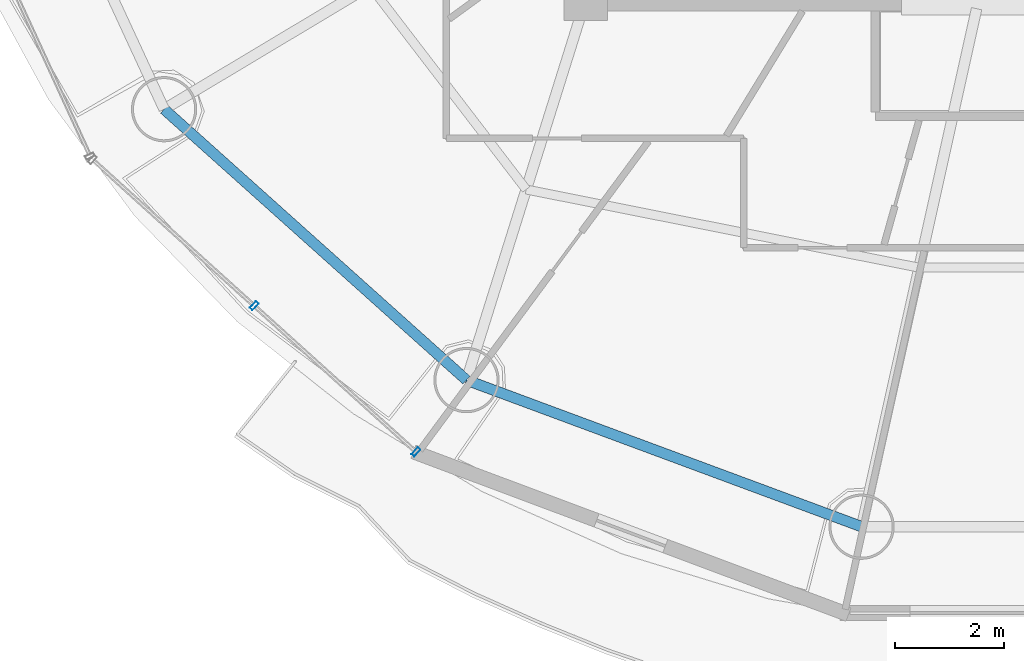
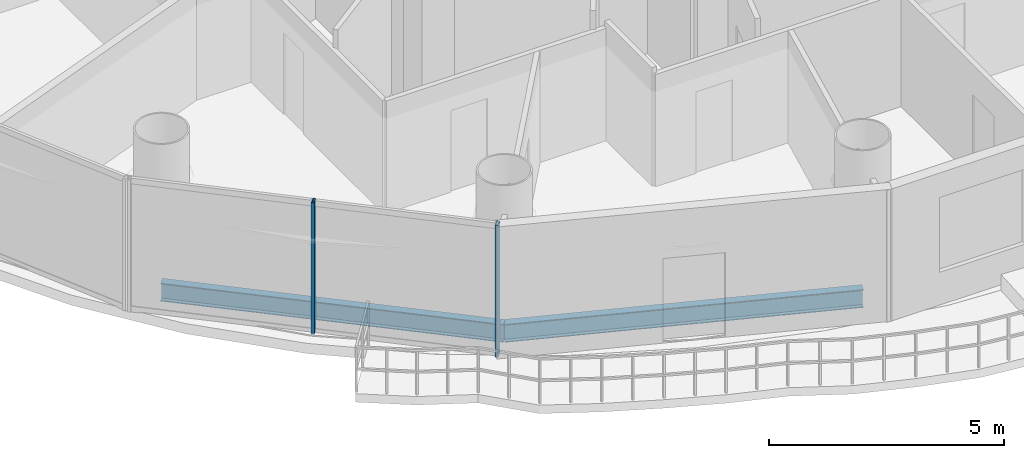
# One storey, part 2 of 26: 2 beams, 2 members, 1 element without a shape of its own.
"""IFC4 building model written with IfcOpenShell, lengths in metres."""

from ifc_helpers import new_model, si_unit, direction, frame, origin, origin_2d, place, context, subcontext, project, spatial, hollow_rectangle, i_section, extrude, source, transform, mapped, material, material_profile, profile_set, type_object, element, aggregate, save


model = new_model("IFC4")

# Units and contexts
model_context = context("Model", 3, precision=1e-05, world=origin(), true_north=direction((-0.2419218956, 0.970295726276)))
body_context = subcontext(model_context, "Body", "Model", "MODEL_VIEW")
ifc_project = project(units=[si_unit("LENGTHUNIT", "METRE"), si_unit("AREAUNIT", "SQUARE_METRE"), si_unit("VOLUMEUNIT", "CUBIC_METRE"), si_unit("PLANEANGLEUNIT", "RADIAN"), si_unit("MASSUNIT", "GRAM", prefix="KILO")], contexts=[model_context])

# Site, building, storey
site_placement = place(None, origin())
site = spatial("IfcSite", under=ifc_project, at=site_placement, CompositionType="ELEMENT")
building_placement = place(site_placement, origin())
building = spatial("IfcBuilding", under=site, at=building_placement, Name="Cobrevalo Terracotta Tower", CompositionType="ELEMENT")
storey_placement = place(building_placement, frame((0.0, 0.0, 202.300048828125)))
storey = spatial("IfcBuildingStorey", under=building, at=storey_placement, Name="L53", CompositionType="ELEMENT", Elevation=202.300048828125)

# Beams
ifc_material_1 = material(Name="Steel S355", Category="steel")
ifc_material_profile_1 = material_profile(ifc_material_1, i_section(OverallWidth=0.194091796875, OverallDepth=0.468994140625, WebThickness=0.011474609375, FlangeThickness=0.0205078125, at=origin_2d()), Name="W 460x106")
ifc_profile_set_1 = profile_set([ifc_material_profile_1], Name="Steel S355")
beam_type = type_object("IfcBeamType", Name="Structural Spandrel W 460x106 (Steel S355)", PredefinedType="SPANDREL", material=ifc_profile_set_1)
beam_1_placement = place(storey_placement, frame((21.245849609375, 16.77197265625, -0.49951171875), z_axis=(0.744851930997, -0.667229796165, 0.0), x_axis=(0.667229796165, 0.744851930997, 0.0)))
element("IfcBeam", 1, at=beam_1_placement, inside=storey, type_object=beam_type, Name="L53 perimeter ring spandrel 10", PredefinedType="SPANDREL", context=body_context, shape_type="SweptSolid", body=[
    extrude(i_section(OverallWidth=0.194091796875, OverallDepth=0.468994140625, WebThickness=0.011474609375, FlangeThickness=0.0205078125, at=origin_2d()), origin(), (0.0, 0.0, 1.0), 7.463623046875),
])
beam_2_placement = place(storey_placement, frame((26.80517578125, 11.7919921875, -0.49951171875), z_axis=(0.937545996665, -0.347861328892, 0.0), x_axis=(0.347861328892, 0.937545996665, 0.0)))
element("IfcBeam", 2, at=beam_2_placement, inside=storey, type_object=beam_type, Name="L53 perimeter ring spandrel 11", PredefinedType="SPANDREL", context=body_context, shape_type="SweptSolid", body=[
    extrude(i_section(OverallWidth=0.194091796875, OverallDepth=0.468994140625, WebThickness=0.011474609375, FlangeThickness=0.0205078125, at=origin_2d()), origin(), (0.0, 0.0, 1.0), 7.74755859375),
])

# Curtain wall, members
ifc_material_2 = material(Name="Anodized aluminium", Category="aluminium")
curtain_wall_type = type_object("IfcCurtainWallType", Name="Mid-tower high-wind unitised curtain wall CW-U2", PredefinedType="NOTDEFINED", material=ifc_material_2)
curtain_wall_placement = place(storey_placement, origin())
curtain_wall = element("IfcCurtainWall", 3, at=curtain_wall_placement, inside=storey, type_object=curtain_wall_type, Name="L53 curtain wall CW-L53-S10", PredefinedType="NOTDEFINED")
ifc_material_profile_2 = material_profile(ifc_material_2, hollow_rectangle(XDim=0.070068359375, YDim=0.169921875, WallThickness=0.00439453125, at=origin_2d()), Name="CWM 70x170")
ifc_profile_set_2 = profile_set([ifc_material_profile_2], Name="Anodized aluminium")
member_type = type_object("IfcMemberType", Name="Upper tower unitised mullion 70x170", PredefinedType="MULLION", material=ifc_profile_set_2)
shared_shape = source(origin(), body_context, "Body", "SweptSolid", [
    extrude(hollow_rectangle(XDim=0.070068359375, YDim=0.169921875, WallThickness=0.00439453125, at=origin_2d()), origin(), (0.0, 0.0, 1.0), 3.43505859375),
])
member_1_placement = place(storey_placement, frame((22.902099609375, 13.158447265625, 0.0), z_axis=(0.0, 0.0, 1.0), x_axis=(0.741987542015, -0.670413668935, 0.0)))
member_1 = element("IfcMember", 4, at=member_1_placement, type_object=member_type, Name="CW-L53-S10 vertical mullion 02", PredefinedType="MULLION", context=body_context, shape_type="MappedRepresentation", body=[
    mapped(shared_shape, transform((0.0, 0.0, 0.0), scale=1.0)),
])
member_2_placement = place(storey_placement, frame((25.87548828125, 10.471923828125, 0.0), z_axis=(0.0, 0.0, 1.0), x_axis=(0.741987542015, -0.670413668935, 0.0)))
member_2 = element("IfcMember", 5, at=member_2_placement, type_object=member_type, Name="CW-L53-S10 vertical mullion 03", PredefinedType="MULLION", context=body_context, shape_type="MappedRepresentation", body=[
    mapped(shared_shape, transform((0.0, 0.0, 0.0), scale=1.0)),
])
aggregate(curtain_wall, [member_1, member_2])

save(model, "model.ifc")
